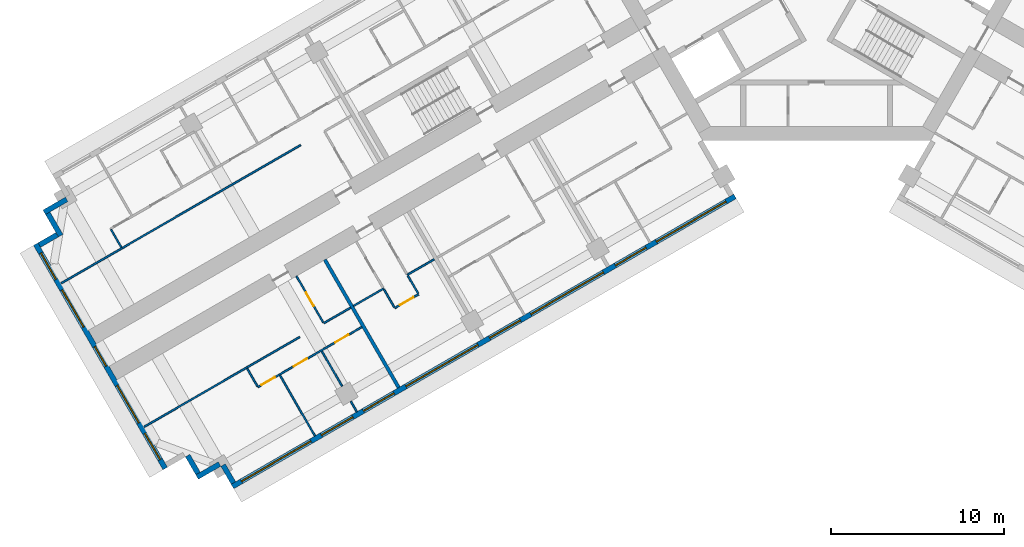
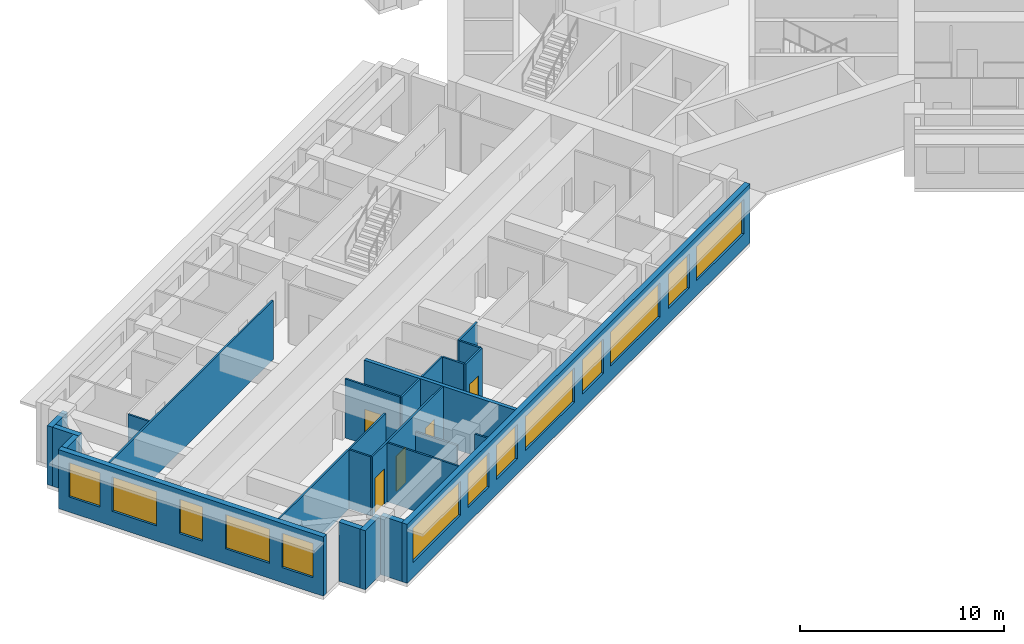
# One storey, part 3 of 14: 24 walls, 13 windows, 5 doors, 18 openings.
"""IFC4 building model written with IfcOpenShell, lengths in metres."""

from ifc_helpers import new_model, si_unit, direction, frame, frame_2d, origin, place, context, subcontext, project, spatial, rectangle, extrude, material, layer, layer_set, type_object, element, fill, save


model = new_model("IFC4")

# Units and contexts
model_context = context("Model", 3, precision=1e-05, world=origin(), true_north=direction((0.0, 1.0)))
body_context = subcontext(model_context, "Body", "Model", "MODEL_VIEW")
ifc_project = project(units=[si_unit("LENGTHUNIT", "METRE"), si_unit("AREAUNIT", "SQUARE_METRE"), si_unit("VOLUMEUNIT", "CUBIC_METRE"), si_unit("PLANEANGLEUNIT", "RADIAN"), si_unit("MASSUNIT", "GRAM", prefix="KILO")], contexts=[model_context])

# Site, building, storey
site_placement = place(None, origin())
site = spatial("IfcSite", under=ifc_project, at=site_placement, CompositionType="ELEMENT")
building_placement = place(site_placement, origin())
building = spatial("IfcBuilding", under=site, at=building_placement, Name="Impinga Residences", CompositionType="ELEMENT")
storey_placement = place(building_placement, frame((0.0, 0.0, 124.75)))
storey = spatial("IfcBuildingStorey", under=building, at=storey_placement, Name="L30", CompositionType="ELEMENT", Elevation=124.75)

# Walls
ifc_material_1 = material(Name="Terracotta rainscreen on blockwork", Category="masonry")
ifc_layer_1 = layer(ifc_material_1, 0.300048828125)
ifc_layer_set_1 = layer_set([ifc_layer_1], Name="EW1 external wall, terracotta rainscreen on blockwork 300")
wall_type_1 = type_object("IfcWallType", Name="EW1 external wall, terracotta rainscreen on blockwork 300", PredefinedType="SOLIDWALL", material=ifc_layer_set_1)
wall_1_placement = place(storey_placement, frame((-33.7685546875, -31.274169921875, 0.0), z_axis=(0.0, 0.0, 1.0), x_axis=(-0.499940577336, 0.866059708757, 0.0)))
element("IfcWall", 1, at=wall_1_placement, inside=storey, type_object=wall_type_1, Name="External wall EW1 L30", PredefinedType="SOLIDWALL", context=body_context, shape_type="SweptSolid", body=[
    extrude(rectangle(XDim=1.195068359375, YDim=0.300048828125, at=frame_2d((0.59765625, 0.0))), origin(), (0.0, 0.0, 1.0), 3.530029296875),
])
wall_2_placement = place(storey_placement, frame((-34.573486328125, -30.18017578125, 0.0), z_axis=(0.0, 0.0, 1.0), x_axis=(-0.866031096941, -0.499990139034, 0.0)))
element("IfcWall", 2, at=wall_2_placement, inside=storey, type_object=wall_type_1, Name="External wall EW1 L30", PredefinedType="SOLIDWALL", context=body_context, shape_type="SweptSolid", body=[
    extrude(rectangle(XDim=1.5, YDim=0.300048828125, at=frame_2d((0.75, 0.0))), origin(), (0.0, 0.0, 1.0), 3.530029296875),
])
wall_3_placement = place(storey_placement, frame((-35.817626953125, -30.72509765625, 0.0), z_axis=(0.0, 0.0, 1.0), x_axis=(-0.499969057507, 0.866043267704, 0.0)))
element("IfcWall", 3, at=wall_3_placement, inside=storey, type_object=wall_type_1, Name="External wall EW1 L30", PredefinedType="SOLIDWALL", context=body_context, shape_type="SweptSolid", body=[
    extrude(rectangle(XDim=1.19970703125, YDim=0.300048828125, at=frame_2d((0.599853515625, 0.0))), origin(), (0.0, 0.0, 1.0), 3.530029296875),
])

# Wall, openings, windows
wall_4_placement = place(storey_placement, frame((-37.716552734375, -30.43603515625, 0.0), z_axis=(0.0, 0.0, 1.0), x_axis=(-0.499997186618, 0.866027028085, 0.0)))
wall_4 = element("IfcWall", 4, at=wall_4_placement, inside=storey, type_object=wall_type_1, Name="External wall EW1 L30", PredefinedType="SOLIDWALL", context=body_context, shape_type="SweptSolid", body=[
    extrude(rectangle(XDim=15.0, YDim=0.300048828125, at=frame_2d((7.5, 0.0))), origin(), (0.0, 0.0, 1.0), 3.530029296875),
])
opening_1_placement = place(wall_4_placement, frame((0.60009765625, 0.0, 0.89990234375)))
opening_1 = element("IfcOpeningElement", 5, at=opening_1_placement, cuts=wall_4, Name="Opening W1", PredefinedType="OPENING", context=body_context, shape_type="SweptSolid", body=[
    extrude(rectangle(XDim=1.75, YDim=2.050048828125, at=frame_2d((0.875, 1.02490234375))), frame((0.0, 0.159912109375, 0.0), z_axis=(0.0, -1.0, 0.0), x_axis=(1.0, 0.0, 0.0)), (0.0, 0.0, 1.0), 0.320068359375),
])
opening_2_placement = place(wall_4_placement, frame((3.050048828125, 0.0, 0.89990234375)))
opening_2 = element("IfcOpeningElement", 6, at=opening_2_placement, cuts=wall_4, Name="Opening W2", PredefinedType="OPENING", context=body_context, shape_type="SweptSolid", body=[
    extrude(rectangle(XDim=2.5, YDim=2.050048828125, at=frame_2d((1.25, 1.02490234375))), frame((0.0, 0.159912109375, 0.0), z_axis=(0.0, -1.0, 0.0), x_axis=(1.0, 0.0, 0.0)), (0.0, 0.0, 1.0), 0.320068359375),
])
opening_3_placement = place(wall_4_placement, frame((6.85009765625, 0.0, 0.89990234375)))
opening_3 = element("IfcOpeningElement", 7, at=opening_3_placement, cuts=wall_4, Name="Opening WE1", PredefinedType="OPENING", context=body_context, shape_type="SweptSolid", body=[
    extrude(rectangle(XDim=1.300048828125, YDim=2.050048828125, at=frame_2d((0.64990234375, 1.02490234375))), frame((0.0, 0.159912109375, 0.0), z_axis=(0.0, -1.0, 0.0), x_axis=(1.0, 0.0, 0.0)), (0.0, 0.0, 1.0), 0.320068359375),
])
opening_4_placement = place(wall_4_placement, frame((9.449951171875, 0.0, 0.89990234375)))
opening_4 = element("IfcOpeningElement", 8, at=opening_4_placement, cuts=wall_4, Name="Opening W2", PredefinedType="OPENING", context=body_context, shape_type="SweptSolid", body=[
    extrude(rectangle(XDim=2.5, YDim=2.050048828125, at=frame_2d((1.25, 1.02490234375))), frame((0.0, 0.159912109375, 0.0), z_axis=(0.0, -1.0, 0.0), x_axis=(1.0, 0.0, 0.0)), (0.0, 0.0, 1.0), 0.320068359375),
])
opening_5_placement = place(wall_4_placement, frame((12.64990234375, 0.0, 0.89990234375)))
opening_5 = element("IfcOpeningElement", 9, at=opening_5_placement, cuts=wall_4, Name="Opening W1", PredefinedType="OPENING", context=body_context, shape_type="SweptSolid", body=[
    extrude(rectangle(XDim=1.75, YDim=2.050048828125, at=frame_2d((0.875, 1.02490234375))), frame((0.0, 0.159912109375, 0.0), z_axis=(0.0, -1.0, 0.0), x_axis=(1.0, 0.0, 0.0)), (0.0, 0.0, 1.0), 0.320068359375),
])
ifc_material_2 = material(Name="Aluminium window, clear double glazing", Category="aluminium")
window_type_1 = type_object("IfcWindowType", Name="W1 ribbon window 1750x2050", PartitioningType="SINGLE_PANEL", PredefinedType="WINDOW", material=ifc_material_2)
window_1_placement = place(opening_1_placement, origin())
window_1 = element("IfcWindow", 10, at=window_1_placement, inside=storey, type_object=window_type_1, Name="Window L30", OverallHeight=2.050048828125, OverallWidth=1.75, PartitioningType="SINGLE_PANEL", PredefinedType="WINDOW", context=body_context, shape_type="SweptSolid", body=[
    extrude(rectangle(XDim=1.75, YDim=2.050048828125, at=frame_2d((0.875, 1.02490234375))), frame((0.0, 0.030029296875, 0.0), z_axis=(0.0, -1.0, 0.0), x_axis=(1.0, 0.0, 0.0)), (0.0, 0.0, 1.0), 0.06005859375),
])
fill(opening_1, window_1)
window_2_placement = place(opening_5_placement, origin())
window_2 = element("IfcWindow", 11, at=window_2_placement, inside=storey, type_object=window_type_1, Name="Window L30", OverallHeight=2.050048828125, OverallWidth=1.75, PartitioningType="SINGLE_PANEL", PredefinedType="WINDOW", context=body_context, shape_type="SweptSolid", body=[
    extrude(rectangle(XDim=1.75, YDim=2.050048828125, at=frame_2d((0.875, 1.02490234375))), frame((0.0, 0.030029296875, 0.0), z_axis=(0.0, -1.0, 0.0), x_axis=(1.0, 0.0, 0.0)), (0.0, 0.0, 1.0), 0.06005859375),
])
fill(opening_5, window_2)
window_type_2 = type_object("IfcWindowType", Name="W2 ribbon window 2500x2050", PartitioningType="SINGLE_PANEL", PredefinedType="WINDOW", material=ifc_material_2)
window_3_placement = place(opening_2_placement, origin())
window_3 = element("IfcWindow", 12, at=window_3_placement, inside=storey, type_object=window_type_2, Name="Window L30", OverallHeight=2.050048828125, OverallWidth=2.5, PartitioningType="SINGLE_PANEL", PredefinedType="WINDOW", context=body_context, shape_type="SweptSolid", body=[
    extrude(rectangle(XDim=2.5, YDim=2.050048828125, at=frame_2d((1.25, 1.02490234375))), frame((0.0, 0.030029296875, 0.0), z_axis=(0.0, -1.0, 0.0), x_axis=(1.0, 0.0, 0.0)), (0.0, 0.0, 1.0), 0.06005859375),
])
fill(opening_2, window_3)
window_4_placement = place(opening_4_placement, origin())
window_4 = element("IfcWindow", 13, at=window_4_placement, inside=storey, type_object=window_type_2, Name="Window L30", OverallHeight=2.050048828125, OverallWidth=2.5, PartitioningType="SINGLE_PANEL", PredefinedType="WINDOW", context=body_context, shape_type="SweptSolid", body=[
    extrude(rectangle(XDim=2.5, YDim=2.050048828125, at=frame_2d((1.25, 1.02490234375))), frame((0.0, 0.030029296875, 0.0), z_axis=(0.0, -1.0, 0.0), x_axis=(1.0, 0.0, 0.0)), (0.0, 0.0, 1.0), 0.06005859375),
])
fill(opening_4, window_4)
window_type_3 = type_object("IfcWindowType", Name="WE1 corridor window 1300x2050", PartitioningType="SINGLE_PANEL", PredefinedType="WINDOW", material=ifc_material_2)
window_5_placement = place(opening_3_placement, origin())
window_5 = element("IfcWindow", 14, at=window_5_placement, inside=storey, type_object=window_type_3, Name="Window L30", OverallHeight=2.050048828125, OverallWidth=1.300048828125, PartitioningType="SINGLE_PANEL", PredefinedType="WINDOW", context=body_context, shape_type="SweptSolid", body=[
    extrude(rectangle(XDim=1.300048828125, YDim=2.050048828125, at=frame_2d((0.64990234375, 1.02490234375))), frame((0.0, 0.030029296875, 0.0), z_axis=(0.0, -1.0, 0.0), x_axis=(1.0, 0.0, 0.0)), (0.0, 0.0, 1.0), 0.06005859375),
])
fill(opening_3, window_5)

# Walls
wall_5_placement = place(storey_placement, frame((-45.01171875, -17.50048828125, 0.0), z_axis=(0.0, 0.0, 1.0), x_axis=(0.866059708757, 0.499940577336, 0.0)))
element("IfcWall", 15, at=wall_5_placement, inside=storey, type_object=wall_type_1, Name="External wall EW1 L30", PredefinedType="SOLIDWALL", context=body_context, shape_type="SweptSolid", body=[
    extrude(rectangle(XDim=1.195068359375, YDim=0.300048828125, at=frame_2d((0.59765625, 0.0))), origin(), (0.0, 0.0, 1.0), 3.530029296875),
])
for number, where, z_axis, x_axis, name in (
    (16, (-43.767578125, -16.955322265625, 0.0), (0.0, 0.0, 1.0), (-0.499990139034, 0.866031096941, 0.0), "External wall EW1 L30"),
    (17, (-44.722412109375, -15.6015625, 0.0), (0.0, 0.0, 1.0), (0.866031096941, 0.499990139034, 0.0), "External wall EW1 L30"),
):
    element("IfcWall", number, at=place(storey_placement, frame(where, z_axis=z_axis, x_axis=x_axis)), inside=storey, type_object=wall_type_1, Name=name, PredefinedType="SOLIDWALL", context=body_context, shape_type="SweptSolid", body=[
        extrude(rectangle(XDim=1.5, YDim=0.300048828125, at=frame_2d((0.75, 0.0))), origin(), (0.0, 0.0, 1.0), 3.530029296875),
    ])

# Wall, openings, windows
wall_6_placement = place(storey_placement, frame((-4.72509765625, -14.67919921875, 0.0), z_axis=(0.0, 0.0, 1.0), x_axis=(-0.866024291668, -0.500001926238, 0.0)))
wall_6 = element("IfcWall", 18, at=wall_6_placement, inside=storey, type_object=wall_type_1, Name="External wall EW1 L30", PredefinedType="SOLIDWALL", context=body_context, shape_type="SweptSolid", body=[
    extrude(rectangle(XDim=33.599853515625, YDim=0.300048828125, at=frame_2d((16.7998046875, 0.0))), origin(), (0.0, 0.0, 1.0), 3.530029296875),
])
opening_6_placement = place(wall_6_placement, frame((0.60009765625, 0.0, 0.89990234375)))
opening_6 = element("IfcOpeningElement", 19, at=opening_6_placement, cuts=wall_6, Name="Opening W10", PredefinedType="OPENING", context=body_context, shape_type="SweptSolid", body=[
    extrude(rectangle(XDim=4.64990234375, YDim=2.050048828125, at=frame_2d((2.324951171875, 1.02490234375))), frame((0.0, 0.159912109375, 0.0), z_axis=(0.0, -1.0, 0.0), x_axis=(1.0, 0.0, 0.0)), (0.0, 0.0, 1.0), 0.320068359375),
])
opening_7_placement = place(wall_6_placement, frame((5.949951171875, 0.0, 0.89990234375)))
opening_7 = element("IfcOpeningElement", 20, at=opening_7_placement, cuts=wall_6, Name="Opening W14", PredefinedType="OPENING", context=body_context, shape_type="SweptSolid", body=[
    extrude(rectangle(XDim=2.050048828125, YDim=2.050048828125, at=frame_2d((1.02490234375, 1.02490234375))), frame((0.0, 0.159912109375, 0.0), z_axis=(0.0, -1.0, 0.0), x_axis=(1.0, 0.0, 0.0)), (0.0, 0.0, 1.0), 0.320068359375),
])
opening_8_placement = place(wall_6_placement, frame((8.800048828125, 0.0, 0.89990234375)))
opening_8 = element("IfcOpeningElement", 21, at=opening_8_placement, cuts=wall_6, Name="Opening W6", PredefinedType="OPENING", context=body_context, shape_type="SweptSolid", body=[
    extrude(rectangle(XDim=4.85009765625, YDim=2.050048828125, at=frame_2d((2.425048828125, 1.02490234375))), frame((0.0, 0.159912109375, 0.0), z_axis=(0.0, -1.0, 0.0), x_axis=(1.0, 0.0, 0.0)), (0.0, 0.0, 1.0), 0.320068359375),
])
opening_9_placement = place(wall_6_placement, frame((14.35009765625, 0.0, 0.89990234375)))
opening_9 = element("IfcOpeningElement", 22, at=opening_9_placement, cuts=wall_6, Name="Opening W14", PredefinedType="OPENING", context=body_context, shape_type="SweptSolid", body=[
    extrude(rectangle(XDim=2.050048828125, YDim=2.050048828125, at=frame_2d((1.02490234375, 1.02490234375))), frame((0.0, 0.159912109375, 0.0), z_axis=(0.0, -1.0, 0.0), x_axis=(1.0, 0.0, 0.0)), (0.0, 0.0, 1.0), 0.320068359375),
])
opening_10_placement = place(wall_6_placement, frame((17.199951171875, 0.0, 0.89990234375)))
opening_10 = element("IfcOpeningElement", 23, at=opening_10_placement, cuts=wall_6, Name="Opening W8", PredefinedType="OPENING", context=body_context, shape_type="SweptSolid", body=[
    extrude(rectangle(XDim=4.800048828125, YDim=2.050048828125, at=frame_2d((2.39990234375, 1.02490234375))), frame((0.0, 0.159912109375, 0.0), z_axis=(0.0, -1.0, 0.0), x_axis=(1.0, 0.0, 0.0)), (0.0, 0.0, 1.0), 0.320068359375),
])
opening_11_placement = place(wall_6_placement, frame((22.800048828125, 0.0, 0.89990234375)))
opening_11 = element("IfcOpeningElement", 24, at=opening_11_placement, cuts=wall_6, Name="Opening W14", PredefinedType="OPENING", context=body_context, shape_type="SweptSolid", body=[
    extrude(rectangle(XDim=2.050048828125, YDim=2.050048828125, at=frame_2d((1.02490234375, 1.02490234375))), frame((0.0, 0.159912109375, 0.0), z_axis=(0.0, -1.0, 0.0), x_axis=(1.0, 0.0, 0.0)), (0.0, 0.0, 1.0), 0.320068359375),
])
opening_12_placement = place(wall_6_placement, frame((25.550048828125, 0.0, 0.89990234375)))
opening_12 = element("IfcOpeningElement", 25, at=opening_12_placement, cuts=wall_6, Name="Opening W9", PredefinedType="OPENING", context=body_context, shape_type="SweptSolid", body=[
    extrude(rectangle(XDim=2.10009765625, YDim=2.050048828125, at=frame_2d((1.050048828125, 1.02490234375))), frame((0.0, 0.159912109375, 0.0), z_axis=(0.0, -1.0, 0.0), x_axis=(1.0, 0.0, 0.0)), (0.0, 0.0, 1.0), 0.320068359375),
])
opening_13_placement = place(wall_6_placement, frame((28.35009765625, 0.0, 0.89990234375)))
opening_13 = element("IfcOpeningElement", 26, at=opening_13_placement, cuts=wall_6, Name="Opening W10", PredefinedType="OPENING", context=body_context, shape_type="SweptSolid", body=[
    extrude(rectangle(XDim=4.64990234375, YDim=2.050048828125, at=frame_2d((2.324951171875, 1.02490234375))), frame((0.0, 0.159912109375, 0.0), z_axis=(0.0, -1.0, 0.0), x_axis=(1.0, 0.0, 0.0)), (0.0, 0.0, 1.0), 0.320068359375),
])
window_type_4 = type_object("IfcWindowType", Name="W10 ribbon window 4650x2050", PartitioningType="SINGLE_PANEL", PredefinedType="WINDOW", material=ifc_material_2)
window_6_placement = place(opening_6_placement, origin())
window_6 = element("IfcWindow", 27, at=window_6_placement, inside=storey, type_object=window_type_4, Name="Window L30", OverallHeight=2.050048828125, OverallWidth=4.64990234375, PartitioningType="SINGLE_PANEL", PredefinedType="WINDOW", context=body_context, shape_type="SweptSolid", body=[
    extrude(rectangle(XDim=4.64990234375, YDim=2.050048828125, at=frame_2d((2.324951171875, 1.02490234375))), frame((0.0, 0.030029296875, 0.0), z_axis=(0.0, -1.0, 0.0), x_axis=(1.0, 0.0, 0.0)), (0.0, 0.0, 1.0), 0.06005859375),
])
fill(opening_6, window_6)
window_7_placement = place(opening_13_placement, origin())
window_7 = element("IfcWindow", 28, at=window_7_placement, inside=storey, type_object=window_type_4, Name="Window L30", OverallHeight=2.050048828125, OverallWidth=4.64990234375, PartitioningType="SINGLE_PANEL", PredefinedType="WINDOW", context=body_context, shape_type="SweptSolid", body=[
    extrude(rectangle(XDim=4.64990234375, YDim=2.050048828125, at=frame_2d((2.324951171875, 1.02490234375))), frame((0.0, 0.030029296875, 0.0), z_axis=(0.0, -1.0, 0.0), x_axis=(1.0, 0.0, 0.0)), (0.0, 0.0, 1.0), 0.06005859375),
])
fill(opening_13, window_7)
window_type_5 = type_object("IfcWindowType", Name="W14 ribbon window 2050x2050", PartitioningType="SINGLE_PANEL", PredefinedType="WINDOW", material=ifc_material_2)
window_8_placement = place(opening_7_placement, origin())
window_8 = element("IfcWindow", 29, at=window_8_placement, inside=storey, type_object=window_type_5, Name="Window L30", OverallHeight=2.050048828125, OverallWidth=2.050048828125, PartitioningType="SINGLE_PANEL", PredefinedType="WINDOW", context=body_context, shape_type="SweptSolid", body=[
    extrude(rectangle(XDim=2.050048828125, YDim=2.050048828125, at=frame_2d((1.02490234375, 1.02490234375))), frame((0.0, 0.030029296875, 0.0), z_axis=(0.0, -1.0, 0.0), x_axis=(1.0, 0.0, 0.0)), (0.0, 0.0, 1.0), 0.06005859375),
])
fill(opening_7, window_8)
window_9_placement = place(opening_9_placement, origin())
window_9 = element("IfcWindow", 30, at=window_9_placement, inside=storey, type_object=window_type_5, Name="Window L30", OverallHeight=2.050048828125, OverallWidth=2.050048828125, PartitioningType="SINGLE_PANEL", PredefinedType="WINDOW", context=body_context, shape_type="SweptSolid", body=[
    extrude(rectangle(XDim=2.050048828125, YDim=2.050048828125, at=frame_2d((1.02490234375, 1.02490234375))), frame((0.0, 0.030029296875, 0.0), z_axis=(0.0, -1.0, 0.0), x_axis=(1.0, 0.0, 0.0)), (0.0, 0.0, 1.0), 0.06005859375),
])
fill(opening_9, window_9)
window_10_placement = place(opening_11_placement, origin())
window_10 = element("IfcWindow", 31, at=window_10_placement, inside=storey, type_object=window_type_5, Name="Window L30", OverallHeight=2.050048828125, OverallWidth=2.050048828125, PartitioningType="SINGLE_PANEL", PredefinedType="WINDOW", context=body_context, shape_type="SweptSolid", body=[
    extrude(rectangle(XDim=2.050048828125, YDim=2.050048828125, at=frame_2d((1.02490234375, 1.02490234375))), frame((0.0, 0.030029296875, 0.0), z_axis=(0.0, -1.0, 0.0), x_axis=(1.0, 0.0, 0.0)), (0.0, 0.0, 1.0), 0.06005859375),
])
fill(opening_11, window_10)
window_type_6 = type_object("IfcWindowType", Name="W6 ribbon window 4850x2050", PartitioningType="SINGLE_PANEL", PredefinedType="WINDOW", material=ifc_material_2)
window_11_placement = place(opening_8_placement, origin())
window_11 = element("IfcWindow", 32, at=window_11_placement, inside=storey, type_object=window_type_6, Name="Window L30", OverallHeight=2.050048828125, OverallWidth=4.85009765625, PartitioningType="SINGLE_PANEL", PredefinedType="WINDOW", context=body_context, shape_type="SweptSolid", body=[
    extrude(rectangle(XDim=4.85009765625, YDim=2.050048828125, at=frame_2d((2.425048828125, 1.02490234375))), frame((0.0, 0.030029296875, 0.0), z_axis=(0.0, -1.0, 0.0), x_axis=(1.0, 0.0, 0.0)), (0.0, 0.0, 1.0), 0.06005859375),
])
fill(opening_8, window_11)
window_type_7 = type_object("IfcWindowType", Name="W8 ribbon window 4800x2050", PartitioningType="SINGLE_PANEL", PredefinedType="WINDOW", material=ifc_material_2)
window_12_placement = place(opening_10_placement, origin())
window_12 = element("IfcWindow", 33, at=window_12_placement, inside=storey, type_object=window_type_7, Name="Window L30", OverallHeight=2.050048828125, OverallWidth=4.800048828125, PartitioningType="SINGLE_PANEL", PredefinedType="WINDOW", context=body_context, shape_type="SweptSolid", body=[
    extrude(rectangle(XDim=4.800048828125, YDim=2.050048828125, at=frame_2d((2.39990234375, 1.02490234375))), frame((0.0, 0.030029296875, 0.0), z_axis=(0.0, -1.0, 0.0), x_axis=(1.0, 0.0, 0.0)), (0.0, 0.0, 1.0), 0.06005859375),
])
fill(opening_10, window_12)
window_type_8 = type_object("IfcWindowType", Name="W9 ribbon window 2100x2050", PartitioningType="SINGLE_PANEL", PredefinedType="WINDOW", material=ifc_material_2)
window_13_placement = place(opening_12_placement, origin())
window_13 = element("IfcWindow", 34, at=window_13_placement, inside=storey, type_object=window_type_8, Name="Window L30", OverallHeight=2.050048828125, OverallWidth=2.10009765625, PartitioningType="SINGLE_PANEL", PredefinedType="WINDOW", context=body_context, shape_type="SweptSolid", body=[
    extrude(rectangle(XDim=2.10009765625, YDim=2.050048828125, at=frame_2d((1.050048828125, 1.02490234375))), frame((0.0, 0.030029296875, 0.0), z_axis=(0.0, -1.0, 0.0), x_axis=(1.0, 0.0, 0.0)), (0.0, 0.0, 1.0), 0.06005859375),
])
fill(opening_12, window_13)

# Walls
ifc_material_3 = material(Name="Gypsum board on steel studs", Category="steel")
ifc_layer_2 = layer(ifc_material_3, 0.10009765625)
ifc_layer_set_2 = layer_set([ifc_layer_2], Name="Gypsum board on steel studs")
wall_type_2 = type_object("IfcWallType", Name="IP1 partition 100", PredefinedType="PARTITIONING", material=ifc_layer_set_2)
wall_7_placement = place(storey_placement, frame((-22.1357421875, -18.32275390625, 0.0), z_axis=(0.0, 0.0, 1.0), x_axis=(-0.866047807691, -0.499961193289, 0.0)))
element("IfcWall", 35, at=wall_7_placement, inside=storey, type_object=wall_type_2, Name="Partition L30-WA3:DIV0", PredefinedType="PARTITIONING", context=body_context, shape_type="SweptSolid", body=[
    extrude(rectangle(XDim=1.800048828125, YDim=0.10009765625, at=frame_2d((0.89990234375, 0.0))), origin(), (0.0, 0.0, 1.0), 3.530029296875),
])
wall_8_placement = place(storey_placement, frame((-25.080322265625, -20.022705078125, 0.0), z_axis=(0.0, 0.0, 1.0), x_axis=(-0.866010750942, -0.50002537861, 0.0)))
element("IfcWall", 36, at=wall_8_placement, inside=storey, type_object=wall_type_2, Name="Partition L30-WA3:DIV1", PredefinedType="PARTITIONING", context=body_context, shape_type="SweptSolid", body=[
    extrude(rectangle(XDim=2.0, YDim=0.10009765625, at=frame_2d((1.0, 0.0))), origin(), (0.0, 0.0, 1.0), 3.530029296875),
])

# Wall, opening, door
wall_9_placement = place(storey_placement, frame((-23.044677734375, -20.3486328125, 0.0), z_axis=(0.0, 0.0, 1.0), x_axis=(-0.866094119867, -0.499880961361, 0.0)))
wall_9 = element("IfcWall", 37, at=wall_9_placement, inside=storey, type_object=wall_type_2, Name="Partition L30-WA3:STRIP", PredefinedType="PARTITIONING", context=body_context, shape_type="SweptSolid", body=[
    extrude(rectangle(XDim=1.60009765625, YDim=0.10009765625, at=frame_2d((0.800048828125, 0.0))), origin(), (0.0, 0.0, 1.0), 3.530029296875),
])
opening_14_placement = place(wall_9_placement, frame((0.35009765625, 0.0, 0.0)))
opening_14 = element("IfcOpeningElement", 38, at=opening_14_placement, cuts=wall_9, Name="Opening D2", PredefinedType="OPENING", context=body_context, shape_type="SweptSolid", body=[
    extrude(rectangle(XDim=0.89990234375, YDim=2.10009765625, at=frame_2d((0.449951171875, 1.050048828125))), frame((0.0, 0.06005859375, 0.0), z_axis=(0.0, -1.0, 0.0), x_axis=(1.0, 0.0, 0.0)), (0.0, 0.0, 1.0), 0.1201171875),
])
ifc_material_4 = material(Name="Timber door set", Category="wood")
door_type = type_object("IfcDoorType", Name="D2 internal door 900x2100", OperationType="SINGLE_SWING_LEFT", PredefinedType="DOOR", material=ifc_material_4)
door_1_placement = place(opening_14_placement, origin())
door_1 = element("IfcDoor", 39, at=door_1_placement, inside=storey, type_object=door_type, Name="Apartment L30-WA3 room door", OperationType="SINGLE_SWING_LEFT", OverallHeight=2.10009765625, OverallWidth=0.89990234375, PredefinedType="DOOR", context=body_context, shape_type="SweptSolid", body=[
    extrude(rectangle(XDim=0.89990234375, YDim=2.10009765625, at=frame_2d((0.449951171875, 1.050048828125))), frame((0.0, 0.02490234375, 0.0), z_axis=(0.0, -1.0, 0.0), x_axis=(1.0, 0.0, 0.0)), (0.0, 0.0, 1.0), 0.050048828125),
])
fill(opening_14, door_1)

# Walls
for number, where, z_axis, x_axis, name in (
    (40, (-23.669677734375, -19.265869140625, 0.0), (0.0, 0.0, 1.0), (0.500033551112, -0.866006032174, 0.0), "Partition L30-WA3:SE0"),
    (41, (-25.055419921875, -20.06591796875, 0.0), (0.0, 0.0, 1.0), (0.500033551112, -0.866006032174, 0.0), "Partition L30-WA3:SE1"),
):
    element("IfcWall", number, at=place(storey_placement, frame(where, z_axis=z_axis, x_axis=x_axis)), inside=storey, type_object=wall_type_2, Name=name, PredefinedType="PARTITIONING", context=body_context, shape_type="SweptSolid", body=[
        extrude(rectangle(XDim=1.2001953125, YDim=0.10009765625, at=frame_2d((0.60009765625, 0.0))), origin(), (0.0, 0.0, 1.0), 3.530029296875),
    ])
wall_10_placement = place(storey_placement, frame((-26.985595703125, -21.122802734375, 0.0), z_axis=(0.0, 0.0, 1.0), x_axis=(-0.866047807691, -0.499961193289, 0.0)))
element("IfcWall", 42, at=wall_10_placement, inside=storey, type_object=wall_type_2, Name="Partition L30-WA4:DIV0", PredefinedType="PARTITIONING", context=body_context, shape_type="SweptSolid", body=[
    extrude(rectangle(XDim=1.800048828125, YDim=0.10009765625, at=frame_2d((0.89990234375, 0.0))), origin(), (0.0, 0.0, 1.0), 3.530029296875),
])
wall_11_placement = place(storey_placement, frame((-29.93017578125, -22.82275390625, 0.0), z_axis=(0.0, 0.0, 1.0), x_axis=(-0.866025696342, -0.499999493275, 0.0)))
element("IfcWall", 43, at=wall_11_placement, inside=storey, type_object=wall_type_2, Name="Partition L30-WA4:DIV1", PredefinedType="PARTITIONING", context=body_context, shape_type="SweptSolid", body=[
    extrude(rectangle(XDim=10.39990234375, YDim=0.10009765625, at=frame_2d((5.199951171875, 0.0))), origin(), (0.0, 0.0, 1.0), 3.530029296875),
])

# Wall, openings, doors
wall_12_placement = place(storey_placement, frame((-26.335693359375, -22.24853515625, 0.0), z_axis=(0.0, 0.0, 1.0), x_axis=(-0.866016523273, -0.500015381182, 0.0)))
wall_12 = element("IfcWall", 44, at=wall_12_placement, inside=storey, type_object=wall_type_2, Name="Partition L30-WA4:STRIP", PredefinedType="PARTITIONING", context=body_context, shape_type="SweptSolid", body=[
    extrude(rectangle(XDim=6.949951171875, YDim=0.10009765625, at=frame_2d((3.47509765625, 0.0))), origin(), (0.0, 0.0, 1.0), 3.530029296875),
])
opening_15_placement = place(wall_12_placement, frame((0.875, 0.0, 0.0)))
opening_15 = element("IfcOpeningElement", 45, at=opening_15_placement, cuts=wall_12, Name="Opening D2", PredefinedType="OPENING", context=body_context, shape_type="SweptSolid", body=[
    extrude(rectangle(XDim=0.89990234375, YDim=2.10009765625, at=frame_2d((0.449951171875, 1.050048828125))), frame((0.0, 0.06005859375, 0.0), z_axis=(0.0, -1.0, 0.0), x_axis=(1.0, 0.0, 0.0)), (0.0, 0.0, 1.0), 0.1201171875),
])
opening_16_placement = place(wall_12_placement, frame((3.64990234375, 0.0, 0.0)))
opening_16 = element("IfcOpeningElement", 46, at=opening_16_placement, cuts=wall_12, Name="Opening D2", PredefinedType="OPENING", context=body_context, shape_type="SweptSolid", body=[
    extrude(rectangle(XDim=0.89990234375, YDim=2.10009765625, at=frame_2d((0.449951171875, 1.050048828125))), frame((0.0, 0.06005859375, 0.0), z_axis=(0.0, -1.0, 0.0), x_axis=(1.0, 0.0, 0.0)), (0.0, 0.0, 1.0), 0.1201171875),
])
opening_17_placement = place(wall_12_placement, frame((5.800048828125, 0.0, 0.0)))
opening_17 = element("IfcOpeningElement", 47, at=opening_17_placement, cuts=wall_12, Name="Opening D2", PredefinedType="OPENING", context=body_context, shape_type="SweptSolid", body=[
    extrude(rectangle(XDim=0.89990234375, YDim=2.10009765625, at=frame_2d((0.449951171875, 1.050048828125))), frame((0.0, 0.06005859375, 0.0), z_axis=(0.0, -1.0, 0.0), x_axis=(1.0, 0.0, 0.0)), (0.0, 0.0, 1.0), 0.1201171875),
])
door_2_placement = place(opening_15_placement, origin())
door_2 = element("IfcDoor", 48, at=door_2_placement, inside=storey, type_object=door_type, Name="Apartment L30-WA4 room door", OperationType="SINGLE_SWING_LEFT", OverallHeight=2.10009765625, OverallWidth=0.89990234375, PredefinedType="DOOR", context=body_context, shape_type="SweptSolid", body=[
    extrude(rectangle(XDim=0.89990234375, YDim=2.10009765625, at=frame_2d((0.449951171875, 1.050048828125))), frame((0.0, 0.02490234375, 0.0), z_axis=(0.0, -1.0, 0.0), x_axis=(1.0, 0.0, 0.0)), (0.0, 0.0, 1.0), 0.050048828125),
])
fill(opening_15, door_2)
door_3_placement = place(opening_16_placement, origin())
door_3 = element("IfcDoor", 49, at=door_3_placement, inside=storey, type_object=door_type, Name="Apartment L30-WA4 room door", OperationType="SINGLE_SWING_RIGHT", OverallHeight=2.10009765625, OverallWidth=0.89990234375, PredefinedType="DOOR", context=body_context, shape_type="SweptSolid", body=[
    extrude(rectangle(XDim=0.89990234375, YDim=2.10009765625, at=frame_2d((0.449951171875, 1.050048828125))), frame((0.0, 0.02490234375, 0.0), z_axis=(0.0, -1.0, 0.0), x_axis=(1.0, 0.0, 0.0)), (0.0, 0.0, 1.0), 0.050048828125),
])
fill(opening_16, door_3)
door_4_placement = place(opening_17_placement, origin())
door_4 = element("IfcDoor", 50, at=door_4_placement, inside=storey, type_object=door_type, Name="Apartment L30-WA4 room door", OperationType="SINGLE_SWING_RIGHT", OverallHeight=2.10009765625, OverallWidth=0.89990234375, PredefinedType="DOOR", context=body_context, shape_type="SweptSolid", body=[
    extrude(rectangle(XDim=0.89990234375, YDim=2.10009765625, at=frame_2d((0.449951171875, 1.050048828125))), frame((0.0, 0.02490234375, 0.0), z_axis=(0.0, -1.0, 0.0), x_axis=(1.0, 0.0, 0.0)), (0.0, 0.0, 1.0), 0.050048828125),
])
fill(opening_17, door_4)

# Wall
wall_13_placement = place(storey_placement, frame((-32.9794921875, -24.640869140625, 0.0), z_axis=(0.0, 0.0, 1.0), x_axis=(0.500033551112, -0.866006032174, 0.0)))
element("IfcWall", 51, at=wall_13_placement, inside=storey, type_object=wall_type_2, Name="Partition L30-WA4:SE1", PredefinedType="PARTITIONING", context=body_context, shape_type="SweptSolid", body=[
    extrude(rectangle(XDim=1.2001953125, YDim=0.10009765625, at=frame_2d((0.60009765625, 0.0))), origin(), (0.0, 0.0, 1.0), 3.530029296875),
])

# Wall, opening, door
wall_14_placement = place(storey_placement, frame((-30.119384765625, -19.294677734375, 0.0), z_axis=(0.0, 0.0, 1.0), x_axis=(0.49999285859, -0.86602952684, 0.0)))
wall_14 = element("IfcWall", 52, at=wall_14_placement, inside=storey, type_object=wall_type_2, Name="Partition L30-WA4:IB1", PredefinedType="PARTITIONING", context=body_context, shape_type="SweptSolid", body=[
    extrude(rectangle(XDim=3.10009765625, YDim=0.10009765625, at=frame_2d((1.550048828125, 0.0))), origin(), (0.0, 0.0, 1.0), 3.530029296875),
])
opening_18_placement = place(wall_14_placement, frame((1.10009765625, 0.0, 0.0)))
opening_18 = element("IfcOpeningElement", 53, at=opening_18_placement, cuts=wall_14, Name="Opening D2", PredefinedType="OPENING", context=body_context, shape_type="SweptSolid", body=[
    extrude(rectangle(XDim=0.89990234375, YDim=2.10009765625, at=frame_2d((0.449951171875, 1.050048828125))), frame((0.0, 0.06005859375, 0.0), z_axis=(0.0, -1.0, 0.0), x_axis=(1.0, 0.0, 0.0)), (0.0, 0.0, 1.0), 0.1201171875),
])
door_5_placement = place(opening_18_placement, origin())
door_5 = element("IfcDoor", 54, at=door_5_placement, inside=storey, type_object=door_type, Name="Apartment L30-WA4 bathroom door", OperationType="SINGLE_SWING_LEFT", OverallHeight=2.10009765625, OverallWidth=0.89990234375, PredefinedType="DOOR", context=body_context, shape_type="SweptSolid", body=[
    extrude(rectangle(XDim=0.89990234375, YDim=2.10009765625, at=frame_2d((0.449951171875, 1.050048828125))), frame((0.0, 0.02490234375, 0.0), z_axis=(0.0, -1.0, 0.0), x_axis=(1.0, 0.0, 0.0)), (0.0, 0.0, 1.0), 0.050048828125),
])
fill(opening_18, door_5)

# Walls
wall_15_placement = place(storey_placement, frame((-28.64892578125, -23.641845703125, 0.0), z_axis=(0.0, 0.0, 1.0), x_axis=(0.500016218704, -0.866016039709, 0.0)))
element("IfcWall", 55, at=wall_15_placement, inside=storey, type_object=wall_type_2, Name="Partition L30-WA4:OB1", PredefinedType="PARTITIONING", context=body_context, shape_type="SweptSolid", body=[
    extrude(rectangle(XDim=2.35009765625, YDim=0.10009765625, at=frame_2d((1.175048828125, 0.0))), origin(), (0.0, 0.0, 1.0), 2.47998046875),
])
wall_16_placement = place(storey_placement, frame((-26.973876953125, -26.54296875, 0.0), z_axis=(0.0, 0.0, 1.0), x_axis=(0.500114896893, -0.865959057869, 0.0)))
element("IfcWall", 56, at=wall_16_placement, inside=storey, type_object=wall_type_2, Name="Partition L30-WA4:OB1b", PredefinedType="PARTITIONING", context=body_context, shape_type="SweptSolid", body=[
    extrude(rectangle(XDim=0.699951171875, YDim=0.10009765625, at=frame_2d((0.35009765625, 0.0))), origin(), (0.0, 0.0, 1.0), 3.530029296875),
])
wall_17_placement = place(storey_placement, frame((-31.07373046875, -25.041748046875, 0.0), z_axis=(0.0, 0.0, 1.0), x_axis=(0.499964223975, -0.866046058097, 0.0)))
element("IfcWall", 57, at=wall_17_placement, inside=storey, type_object=wall_type_2, Name="Partition L30-WA4:OB2", PredefinedType="PARTITIONING", context=body_context, shape_type="SweptSolid", body=[
    extrude(rectangle(XDim=4.050048828125, YDim=0.10009765625, at=frame_2d((2.02490234375, 0.0))), origin(), (0.0, 0.0, 1.0), 3.530029296875),
])
wall_18_placement = place(storey_placement, frame((-29.88037109375, -11.708740234375, 0.0), z_axis=(0.0, 0.0, 1.0), x_axis=(-0.866026010844, -0.49999894854, 0.0)))
element("IfcWall", 58, at=wall_18_placement, inside=storey, type_object=wall_type_2, Name="Partition L30-WF2:DIV1", PredefinedType="PARTITIONING", context=body_context, shape_type="SweptSolid", body=[
    extrude(rectangle(XDim=16.0, YDim=0.10009765625, at=frame_2d((8.0, 0.0))), origin(), (0.0, 0.0, 1.0), 3.530029296875),
])
wall_19_placement = place(storey_placement, frame((-40.25439453125, -17.640625, 0.0), z_axis=(0.0, 0.0, 1.0), x_axis=(-0.499880961361, 0.866094119867, 0.0)))
element("IfcWall", 59, at=wall_19_placement, inside=storey, type_object=wall_type_2, Name="Partition L30-WF2:SE1", PredefinedType="PARTITIONING", context=body_context, shape_type="SweptSolid", body=[
    extrude(rectangle(XDim=1.199951171875, YDim=0.10009765625, at=frame_2d((0.60009765625, 0.0))), origin(), (0.0, 0.0, 1.0), 3.530029296875),
])
ifc_material_5 = material(Name="Concrete blockwork", Category="masonry")
ifc_layer_3 = layer(ifc_material_5, 0.199951171875)
ifc_layer_set_3 = layer_set([ifc_layer_3], Name="PW1 party wall between apartments 200")
wall_type_3 = type_object("IfcWallType", Name="PW1 party wall between apartments 200", PredefinedType="SOLIDWALL", material=ifc_layer_set_3)
wall_20_placement = place(storey_placement, frame((-28.473876953125, -18.3447265625, 0.0), z_axis=(0.0, 0.0, 1.0), x_axis=(0.499990227581, -0.86603104582, 0.0)))
element("IfcWall", 60, at=wall_20_placement, inside=storey, type_object=wall_type_3, Name="Party wall between apartments L30-WA3:PARTY", PredefinedType="SOLIDWALL", context=body_context, shape_type="SweptSolid", body=[
    extrude(rectangle(XDim=8.550048828125, YDim=0.199951171875, at=frame_2d((4.27490234375, 0.0))), origin(), (0.0, 0.0, 1.0), 3.530029296875),
])

save(model, "model.ifc")
